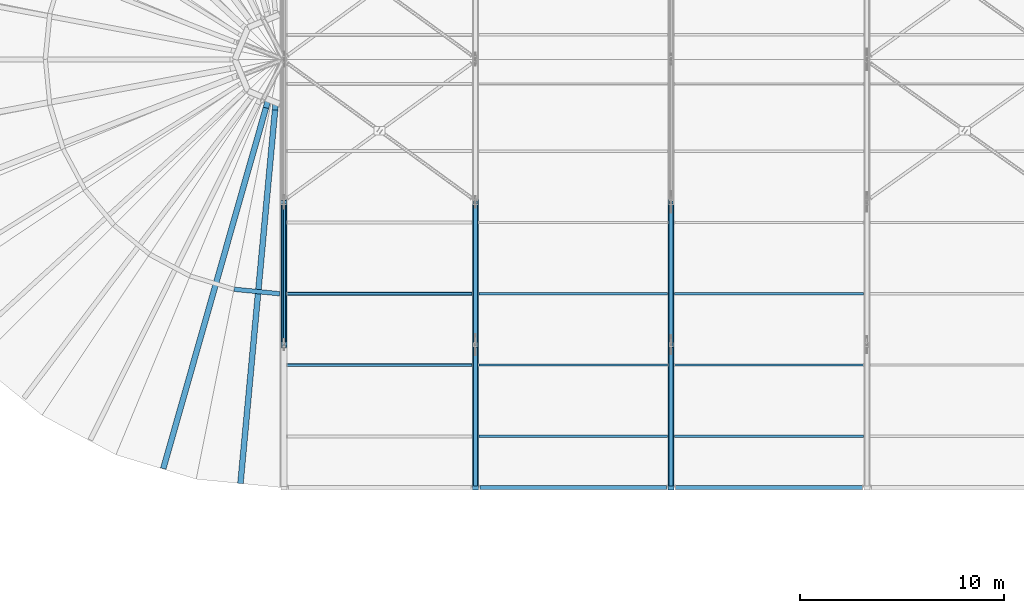
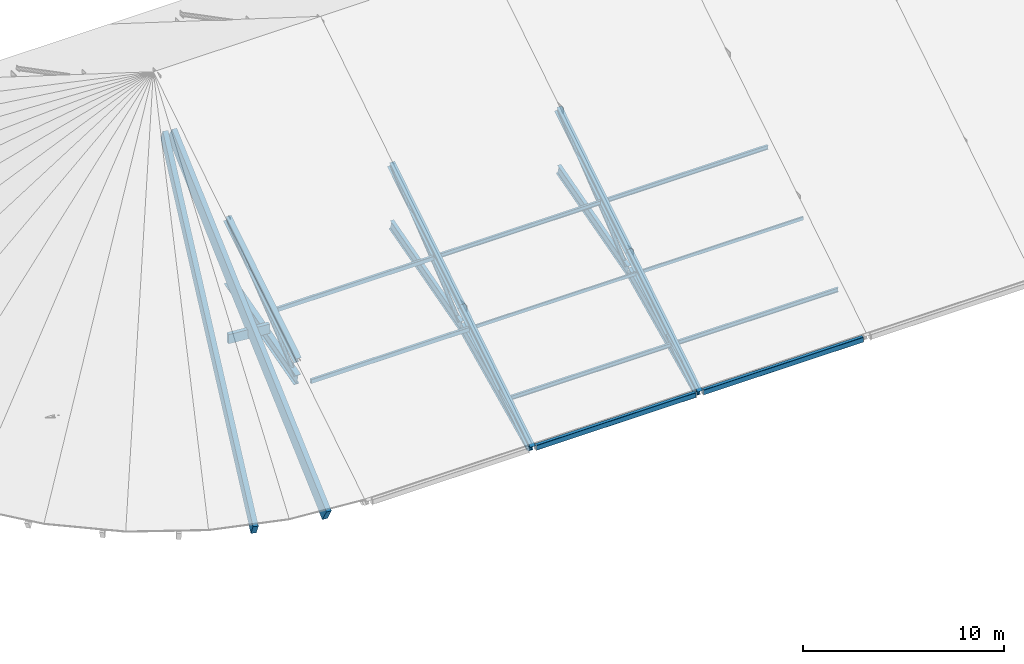
# One storey, part 2 of 66: 18 members, 8 beams.
"""IFC4 building model written with IfcOpenShell, lengths in metres."""

from ifc_helpers import new_model, si_unit, direction, frame, origin, origin_2d, place, context, subcontext, project, spatial, rectangle, hollow_rectangle, hollow_circle, i_section, extrude, material, material_profile, profile_set, type_object, element, save


model = new_model("IFC4")

# Units and contexts
model_context = context("Model", 3, precision=1e-05, world=origin(), true_north=direction((0.0, 1.0)))
body_context = subcontext(model_context, "Body", "Model", "MODEL_VIEW")
ifc_project = project(units=[si_unit("LENGTHUNIT", "METRE"), si_unit("AREAUNIT", "SQUARE_METRE"), si_unit("VOLUMEUNIT", "CUBIC_METRE"), si_unit("PLANEANGLEUNIT", "RADIAN"), si_unit("MASSUNIT", "GRAM", prefix="KILO")], contexts=[model_context])

# Site, building, storey
site_placement = place(None, origin())
site = spatial("IfcSite", under=ifc_project, at=site_placement, CompositionType="ELEMENT")
building_placement = place(site_placement, origin())
building = spatial("IfcBuilding", under=site, at=building_placement, Name="Yeouljin Market Hall", CompositionType="ELEMENT")
storey_placement = place(building_placement, frame((0.0, 0.0, 23.39990234375)))
storey = spatial("IfcBuildingStorey", under=building, at=storey_placement, Name="RF", CompositionType="ELEMENT", Elevation=23.39990234375)

# Beams
ifc_material_1 = material(Name="Glulam Timber KS F 3021 10S-30B", Category="wood")
ifc_material_profile_1 = material_profile(ifc_material_1, rectangle(XDim=0.219970703125, YDim=0.56005859375, at=origin_2d()), Name="GL-220x560")
ifc_profile_set_1 = profile_set([ifc_material_profile_1], Name="Glulam Timber KS F 3021 10S-30B")
beam_type_1 = type_object("IfcBeamType", Name="Beam_GL-220x560", PredefinedType="BEAM", material=ifc_profile_set_1)
beam_1_placement = place(storey_placement, frame((35.39990234375, 45.5, -7.349853515625), z_axis=(-0.995185122883, 0.098013117446, 0.0), x_axis=(-0.098013117446, -0.995185122883, 0.0)))
element("IfcBeam", 1, at=beam_1_placement, inside=storey, type_object=beam_type_1, Name="Glulam apse collar beam west 01", PredefinedType="BEAM", context=body_context, shape_type="SweptSolid", body=[
    extrude(rectangle(XDim=0.219970703125, YDim=0.56005859375, at=origin_2d()), origin(), (0.0, 0.0, 1.0), 2.254150390625),
])
ifc_material_2 = material(Name="Steel SM355", Category="steel")
ifc_material_profile_2 = material_profile(ifc_material_2, i_section(OverallWidth=0.199951171875, OverallDepth=0.60009765625, WebThickness=0.010986328125, FlangeThickness=0.01708984375, FilletRadius=0.02197265625, at=origin_2d()), Name="H-600x200x11x17")
ifc_profile_set_2 = profile_set([ifc_material_profile_2], Name="Steel SM355")
beam_type_2 = type_object("IfcBeamType", Name="Beam_H-600x200x11x17", PredefinedType="BEAM", material=ifc_profile_set_2)
beam_2_placement = place(storey_placement, frame((45.0, 36.199951171875, -12.2998046875), z_axis=(0.0, 0.903192091176, 0.429236585623), x_axis=(-1.0, 0.0, 0.0)))
element("IfcBeam", 2, at=beam_2_placement, inside=storey, type_object=beam_type_2, Name="Truss AT-02 arch rib 1", PredefinedType="BEAM", context=body_context, shape_type="SweptSolid", body=[
    extrude(i_section(OverallWidth=0.199951171875, OverallDepth=0.60009765625, WebThickness=0.010986328125, FlangeThickness=0.01708984375, FilletRadius=0.02197265625, at=origin_2d()), origin(), (0.0, 0.0, 1.0), 7.5068359375),
])
beam_3_placement = place(storey_placement, frame((45.0, 43.02001953125, -9.07763671875), z_axis=(0.0, 0.963516941196, 0.267647350124), x_axis=(-1.0, 0.0, 0.0)))
element("IfcBeam", 3, at=beam_3_placement, inside=storey, type_object=beam_type_2, Name="Truss AT-02 arch rib 2", PredefinedType="BEAM", context=body_context, shape_type="SweptSolid", body=[
    extrude(i_section(OverallWidth=0.199951171875, OverallDepth=0.60009765625, WebThickness=0.010986328125, FlangeThickness=0.01708984375, FilletRadius=0.02197265625, at=origin_2d()), origin(), (0.0, 0.0, 1.0), 7.223388671875),
])
beam_4_placement = place(storey_placement, frame((54.60009765625, 36.199951171875, -12.2998046875), z_axis=(0.0, 0.903192091176, 0.429236585623), x_axis=(-1.0, 0.0, 0.0)))
element("IfcBeam", 4, at=beam_4_placement, inside=storey, type_object=beam_type_2, Name="Truss AT-03 arch rib 1", PredefinedType="BEAM", context=body_context, shape_type="SweptSolid", body=[
    extrude(i_section(OverallWidth=0.199951171875, OverallDepth=0.60009765625, WebThickness=0.010986328125, FlangeThickness=0.01708984375, FilletRadius=0.02197265625, at=origin_2d()), origin(), (0.0, 0.0, 1.0), 7.5068359375),
])
beam_5_placement = place(storey_placement, frame((54.60009765625, 43.02001953125, -9.07763671875), z_axis=(0.0, 0.963516941196, 0.267647350124), x_axis=(-1.0, 0.0, 0.0)))
element("IfcBeam", 5, at=beam_5_placement, inside=storey, type_object=beam_type_2, Name="Truss AT-03 arch rib 2", PredefinedType="BEAM", context=body_context, shape_type="SweptSolid", body=[
    extrude(i_section(OverallWidth=0.199951171875, OverallDepth=0.60009765625, WebThickness=0.010986328125, FlangeThickness=0.01708984375, FilletRadius=0.02197265625, at=origin_2d()), origin(), (0.0, 0.0, 1.0), 7.223388671875),
])
ifc_material_3 = material(Name="Steel SM355", Category="steel")
ifc_material_profile_3 = material_profile(ifc_material_3, hollow_rectangle(XDim=0.199951171875, YDim=0.300048828125, WallThickness=0.009033203125, InnerFilletRadius=0.009033203125, OuterFilletRadius=0.01611328125, at=origin_2d()), Name="RHS-300x200x9")
ifc_profile_set_3 = profile_set([ifc_material_profile_3], Name="Steel SM355")
beam_type_3 = type_object("IfcBeamType", Name="Beam_RHS-300x200x9", PredefinedType="BEAM", material=ifc_profile_set_3)
for number, where, z_axis, x_axis, name in (
    (6, (45.216064453125, 36.0, -12.27978515625), (1.0, 0.0, 0.0), (0.0, 1.0, 0.0), "Hall eaves girder S02"),
    (7, (54.81591796875, 36.0, -12.27978515625), (1.0, 0.0, 0.0), (0.0, 1.0, 0.0), "Hall eaves girder S03"),
):
    element("IfcBeam", number, at=place(storey_placement, frame(where, z_axis=z_axis, x_axis=x_axis)), inside=storey, type_object=beam_type_3, Name=name, PredefinedType="BEAM", context=body_context, shape_type="SweptSolid", body=[
        extrude(hollow_rectangle(XDim=0.199951171875, YDim=0.300048828125, WallThickness=0.009033203125, InnerFilletRadius=0.009033203125, OuterFilletRadius=0.01611328125, at=origin_2d()), origin(), (0.0, 0.0, 1.0), 9.16796875),
    ])

# Members
ifc_material_4 = material(Name="Steel SM355", Category="steel")
ifc_material_profile_4 = material_profile(ifc_material_4, hollow_circle(Radius=0.108154296875, WallThickness=0.008056640625, at=origin_2d()), Name="CHS-216.3x8")
ifc_profile_set_4 = profile_set([ifc_material_profile_4], Name="Steel SM355")
member_type_1 = type_object("IfcMemberType", Name="Brace_CHS-216.3x8", PredefinedType="BRACE", material=ifc_profile_set_4)
for number, where, z_axis, x_axis, name in (
    (8, (35.60009765625, 43.172119140625, -8.940673828125), (0.0, 0.782065231413, 0.623196577185), (-1.0, 0.0, 0.0), "Truss AT-01 web diagonal 2"),
    (9, (45.0, 43.172119140625, -8.940673828125), (0.0, 0.782065231413, 0.623196577185), (-1.0, 0.0, 0.0), "Truss AT-02 web diagonal 2"),
    (10, (54.60009765625, 43.172119140625, -8.940673828125), (0.0, 0.782065231413, 0.623196577185), (-1.0, 0.0, 0.0), "Truss AT-03 web diagonal 2"),
):
    element("IfcMember", number, at=place(storey_placement, frame(where, z_axis=z_axis, x_axis=x_axis)), inside=storey, type_object=member_type_1, Name=name, PredefinedType="BRACE", context=body_context, shape_type="SweptSolid", body=[
        extrude(hollow_circle(Radius=0.108154296875, WallThickness=0.008056640625, at=origin_2d()), origin(), (0.0, 0.0, 1.0), 8.510498046875),
    ])
ifc_material_5 = material(Name="Steel SM355", Category="steel")
ifc_material_profile_5 = material_profile(ifc_material_5, i_section(OverallWidth=0.300048828125, OverallDepth=0.43994140625, WebThickness=0.010986328125, FlangeThickness=0.01806640625, FilletRadius=0.02001953125, at=origin_2d()), Name="H-440x300x11x18")
ifc_profile_set_5 = profile_set([ifc_material_profile_5], Name="Steel SM355")
member_type_2 = type_object("IfcMemberType", Name="Chord_H-440x300x11x18", PredefinedType="CHORD", material=ifc_profile_set_5)
for number, where, z_axis, x_axis, name in (
    (11, (45.0, 36.0, -12.2998046875), (0.0, 0.846641870869, 0.53216307885), (-1.0, 0.0, 0.0), "Truss AT-02 top chord 1"),
    (12, (45.0, 43.0, -7.89990234375), (0.0, 0.846641870869, 0.53216307885), (-1.0, 0.0, 0.0), "Truss AT-02 top chord 2"),
    (13, (54.60009765625, 36.0, -12.2998046875), (0.0, 0.846641870869, 0.53216307885), (-1.0, 0.0, 0.0), "Truss AT-03 top chord 1"),
    (14, (54.60009765625, 43.0, -7.89990234375), (0.0, 0.846641870869, 0.53216307885), (-1.0, 0.0, 0.0), "Truss AT-03 top chord 2"),
):
    element("IfcMember", number, at=place(storey_placement, frame(where, z_axis=z_axis, x_axis=x_axis)), inside=storey, type_object=member_type_2, Name=name, PredefinedType="CHORD", context=body_context, shape_type="SweptSolid", body=[
        extrude(i_section(OverallWidth=0.300048828125, OverallDepth=0.43994140625, WebThickness=0.010986328125, FlangeThickness=0.01806640625, FilletRadius=0.02001953125, at=origin_2d()), origin(), (0.0, 0.0, 1.0), 8.26806640625),
    ])
ifc_material_6 = material(Name="Steel SM355", Category="steel")
ifc_material_profile_6 = material_profile(ifc_material_6, i_section(OverallWidth=0.300048828125, OverallDepth=0.488037109375, WebThickness=0.010986328125, FlangeThickness=0.01806640625, FilletRadius=0.02197265625, at=origin_2d()), Name="H-488x300x11x18")
ifc_profile_set_6 = profile_set([ifc_material_profile_6], Name="Steel SM355")
member_type_3 = type_object("IfcMemberType", Name="Chord_H-488x300x11x18", PredefinedType="CHORD", material=ifc_profile_set_6)
member_1_placement = place(storey_placement, frame((35.60009765625, 43.0, -7.89990234375), z_axis=(0.0, 0.846641870869, 0.53216307885), x_axis=(-1.0, 0.0, 0.0)))
element("IfcMember", 15, at=member_1_placement, inside=storey, type_object=member_type_3, Name="Truss AT-01 top chord 2", PredefinedType="CHORD", context=body_context, shape_type="SweptSolid", body=[
    extrude(i_section(OverallWidth=0.300048828125, OverallDepth=0.488037109375, WebThickness=0.010986328125, FlangeThickness=0.01806640625, FilletRadius=0.02197265625, at=origin_2d()), origin(), (0.0, 0.0, 1.0), 8.26806640625),
])

# Beam
ifc_material_7 = material(Name="Steel SM355", Category="steel")
ifc_material_profile_7 = material_profile(ifc_material_7, i_section(OverallWidth=0.300048828125, OverallDepth=0.699951171875, WebThickness=0.012939453125, FlangeThickness=0.02392578125, FilletRadius=0.02587890625, at=origin_2d()), Name="H-700x300x13x24")
ifc_profile_set_7 = profile_set([ifc_material_profile_7], Name="Steel SM355")
beam_type_4 = type_object("IfcBeamType", Name="Girder_H-700x300x13x24", PredefinedType="USERDEFINED", material=ifc_profile_set_7)
beam_6_placement = place(storey_placement, frame((35.60009765625, 43.02001953125, -9.07763671875), z_axis=(0.0, 0.963516941196, 0.267647350124), x_axis=(-1.0, 0.0, 0.0)))
element("IfcBeam", 16, at=beam_6_placement, inside=storey, type_object=beam_type_4, Name="Truss AT-01 arch rib 2", ObjectType="GIRDER", PredefinedType="USERDEFINED", context=body_context, shape_type="SweptSolid", body=[
    extrude(i_section(OverallWidth=0.300048828125, OverallDepth=0.699951171875, WebThickness=0.012939453125, FlangeThickness=0.02392578125, FilletRadius=0.02587890625, at=origin_2d()), origin(), (0.0, 0.0, 1.0), 7.223388671875),
])

# Members
ifc_material_8 = material(Name="Steel SM355", Category="steel")
ifc_material_profile_8 = material_profile(ifc_material_8, i_section(OverallWidth=0.125, OverallDepth=0.25, WebThickness=0.006103515625, FlangeThickness=0.009033203125, FilletRadius=0.011962890625, at=origin_2d()), Name="H-250x125x6x9")
ifc_profile_set_8 = profile_set([ifc_material_profile_8], Name="Steel SM355")
member_type_4 = type_object("IfcMemberType", Name="Purlin_H-250x125x6x9", PredefinedType="PURLIN", material=ifc_profile_set_8)
for number, where, z_axis, x_axis, name in (
    (17, (45.166015625, 38.5, -10.80859375), (1.0, 0.0, 0.0), (0.0, 1.0, 0.0), "Nave roof purlin 013"),
    (18, (45.166015625, 45.5, -6.408447265625), (1.0, 0.0, 0.0), (0.0, 1.0, 0.0), "Nave roof purlin 015"),
):
    element("IfcMember", number, at=place(storey_placement, frame(where, z_axis=z_axis, x_axis=x_axis)), inside=storey, type_object=member_type_4, Name=name, PredefinedType="PURLIN", context=body_context, shape_type="SweptSolid", body=[
        extrude(i_section(OverallWidth=0.125, OverallDepth=0.25, WebThickness=0.006103515625, FlangeThickness=0.009033203125, FilletRadius=0.011962890625, at=origin_2d()), origin(), (0.0, 0.0, 1.0), 9.26806640625),
    ])
for number, where, z_axis, x_axis, name in (
    (19, (54.76611328125, 38.5, -10.80859375), (1.0, 0.0, 0.0), (0.0, 1.0, 0.0), "Nave roof purlin 025"),
    (20, (54.76611328125, 45.5, -6.408447265625), (1.0, 0.0, 0.0), (0.0, 1.0, 0.0), "Nave roof purlin 027"),
):
    element("IfcMember", number, at=place(storey_placement, frame(where, z_axis=z_axis, x_axis=x_axis)), inside=storey, type_object=member_type_4, Name=name, PredefinedType="PURLIN", context=body_context, shape_type="SweptSolid", body=[
        extrude(i_section(OverallWidth=0.125, OverallDepth=0.25, WebThickness=0.006103515625, FlangeThickness=0.009033203125, FilletRadius=0.011962890625, at=origin_2d()), origin(), (0.0, 0.0, 1.0), 9.267822265625),
    ])
ifc_material_9 = material(Name="Steel SS275", Category="steel")
ifc_material_profile_9 = material_profile(ifc_material_9, hollow_rectangle(XDim=0.10009765625, YDim=0.199951171875, WallThickness=0.006103515625, InnerFilletRadius=0.006103515625, OuterFilletRadius=0.011962890625, at=origin_2d()), Name="RHS-200x100x6")
ifc_profile_set_9 = profile_set([ifc_material_profile_9], Name="Steel SS275")
member_type_5 = type_object("IfcMemberType", Name="Purlin_RHS-200x100x6", PredefinedType="PURLIN", material=ifc_profile_set_9)
member_2_placement = place(storey_placement, frame((45.166015625, 42.0, -8.6083984375), z_axis=(1.0, 0.0, 0.0), x_axis=(0.0, 1.0, 0.0)))
element("IfcMember", 21, at=member_2_placement, inside=storey, type_object=member_type_5, Name="Nave roof purlin 014", PredefinedType="PURLIN", context=body_context, shape_type="SweptSolid", body=[
    extrude(hollow_rectangle(XDim=0.10009765625, YDim=0.199951171875, WallThickness=0.006103515625, InnerFilletRadius=0.006103515625, OuterFilletRadius=0.011962890625, at=origin_2d()), origin(), (0.0, 0.0, 1.0), 9.26806640625),
])
member_3_placement = place(storey_placement, frame((54.76611328125, 42.0, -8.6083984375), z_axis=(1.0, 0.0, 0.0), x_axis=(0.0, 1.0, 0.0)))
element("IfcMember", 22, at=member_3_placement, inside=storey, type_object=member_type_5, Name="Nave roof purlin 026", PredefinedType="PURLIN", context=body_context, shape_type="SweptSolid", body=[
    extrude(hollow_rectangle(XDim=0.10009765625, YDim=0.199951171875, WallThickness=0.006103515625, InnerFilletRadius=0.006103515625, OuterFilletRadius=0.011962890625, at=origin_2d()), origin(), (0.0, 0.0, 1.0), 9.267822265625),
])
ifc_material_10 = material(Name="Steel SM355", Category="steel")
ifc_material_profile_10 = material_profile(ifc_material_10, hollow_rectangle(XDim=0.14990234375, YDim=0.25, WallThickness=0.008056640625, InnerFilletRadius=0.008056640625, OuterFilletRadius=0.01611328125, at=origin_2d()), Name="RHS-250x150x8")
ifc_profile_set_10 = profile_set([ifc_material_profile_10], Name="Steel SM355")
member_type_6 = type_object("IfcMemberType", Name="Purlin_RHS-250x150x8", PredefinedType="PURLIN", material=ifc_profile_set_10)
for number, where, z_axis, x_axis, name in (
    (23, (35.76611328125, 42.0, -8.6083984375), (1.0, 0.0, 0.0), (0.0, 1.0, 0.0), "Nave roof purlin 002"),
    (24, (35.76611328125, 45.5, -6.408447265625), (1.0, 0.0, 0.0), (0.0, 1.0, 0.0), "Nave roof purlin 003"),
):
    element("IfcMember", number, at=place(storey_placement, frame(where, z_axis=z_axis, x_axis=x_axis)), inside=storey, type_object=member_type_6, Name=name, PredefinedType="PURLIN", context=body_context, shape_type="SweptSolid", body=[
        extrude(hollow_rectangle(XDim=0.14990234375, YDim=0.25, WallThickness=0.008056640625, InnerFilletRadius=0.008056640625, OuterFilletRadius=0.01611328125, at=origin_2d()), origin(), (0.0, 0.0, 1.0), 9.06787109375),
    ])
ifc_material_11 = material(Name="Glulam Timber KS F 3021 10S-30B", Category="wood")
ifc_material_profile_11 = material_profile(ifc_material_11, rectangle(XDim=0.280029296875, YDim=0.840087890625, at=origin_2d()), Name="GL-280x840")
ifc_profile_set_11 = profile_set([ifc_material_profile_11], Name="Glulam Timber KS F 3021 10S-30B")
member_type_7 = type_object("IfcMemberType", Name="Rafter_GL-280x840", PredefinedType="RAFTER", material=ifc_profile_set_11)
member_4_placement = place(storey_placement, frame((29.748779296875, 37.13818359375, -12.579833984375), z_axis=(0.231950904705, 0.815230113071, 0.530658685548), x_axis=(-0.961826283182, 0.273660740663, 0.0)))
element("IfcMember", 25, at=member_4_placement, inside=storey, type_object=member_type_7, Name="Fanned glulam apse rafter west 02", PredefinedType="RAFTER", context=body_context, shape_type="SweptSolid", body=[
    extrude(rectangle(XDim=0.280029296875, YDim=0.840087890625, at=origin_2d()), origin(), (0.0, 0.0, 1.0), 21.708984375),
])
ifc_material_12 = material(Name="Glulam Timber KS F 3021 10S-30B", Category="wood")
ifc_material_profile_12 = material_profile(ifc_material_12, rectangle(XDim=0.280029296875, YDim=0.919921875, at=origin_2d()), Name="GL-280x920")
ifc_profile_set_12 = profile_set([ifc_material_profile_12], Name="Glulam Timber KS F 3021 10S-30B")
member_type_8 = type_object("IfcMemberType", Name="Rafter_GL-280x920", PredefinedType="RAFTER", material=ifc_profile_set_12)
member_5_placement = place(storey_placement, frame((33.49462890625, 36.43798828125, -12.579833984375), z_axis=(0.07820580902, 0.843968210804, 0.530661389766), x_axis=(-0.995734107215, 0.092269104958, 0.0)))
element("IfcMember", 26, at=member_5_placement, inside=storey, type_object=member_type_8, Name="Fanned glulam apse rafter west 01", PredefinedType="RAFTER", context=body_context, shape_type="SweptSolid", body=[
    extrude(rectangle(XDim=0.280029296875, YDim=0.919921875, at=origin_2d()), origin(), (0.0, 0.0, 1.0), 21.708740234375),
])

save(model, "model.ifc")
